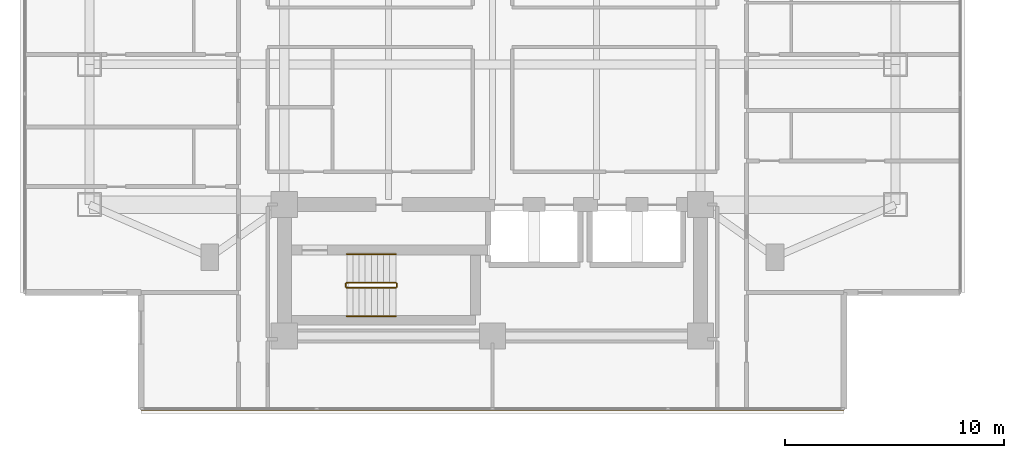
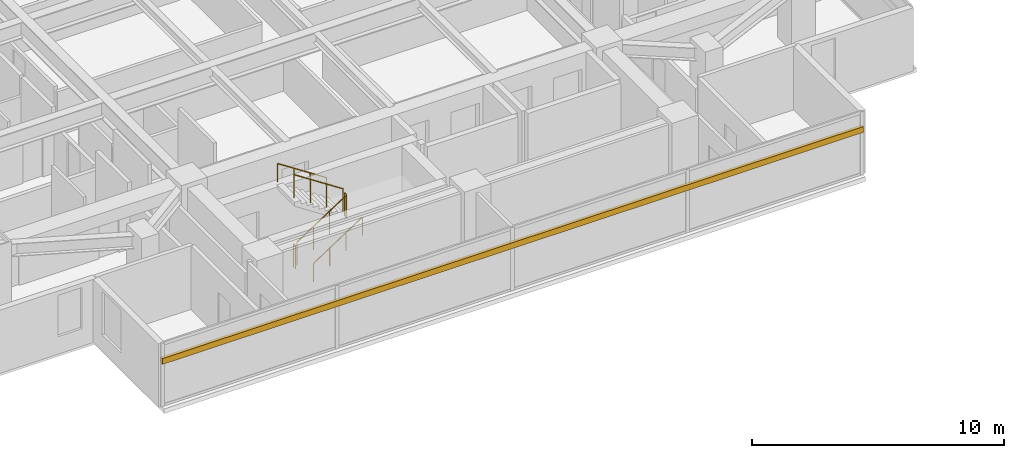
# One storey, part 19 of 24: 6 railings, 1 shading device.
"""IFC4 building model written with IfcOpenShell, lengths in metres."""

from ifc_helpers import new_model, si_unit, direction, frame, origin, origin_2d, place, context, subcontext, project, spatial, rectangle, circle, extrude, material, material_profile, profile_set, type_object, element, save


model = new_model("IFC4")

# Units and contexts
model_context = context("Model", 3, precision=1e-05, world=origin(), true_north=direction((0.0, 1.0)))
body_context = subcontext(model_context, "Body", "Model", "MODEL_VIEW")
ifc_project = project(units=[si_unit("LENGTHUNIT", "METRE"), si_unit("AREAUNIT", "SQUARE_METRE"), si_unit("VOLUMEUNIT", "CUBIC_METRE"), si_unit("PLANEANGLEUNIT", "RADIAN"), si_unit("MASSUNIT", "GRAM", prefix="KILO")], contexts=[model_context])

# Site, building, storey
site_placement = place(None, origin())
site = spatial("IfcSite", under=ifc_project, at=site_placement, CompositionType="ELEMENT")
building_placement = place(site_placement, origin())
building = spatial("IfcBuilding", under=site, at=building_placement, Name="Mirazonda Arch Towers", CompositionType="ELEMENT")
storey_placement = place(building_placement, frame((0.0, 0.0, 101.60009765625)))
storey = spatial("IfcBuildingStorey", under=building, at=storey_placement, Name="L28", CompositionType="ELEMENT", Elevation=101.60009765625)

# Shading device
ifc_material_1 = material(Name="Kiln-Fired Architectural Terracotta", Category="masonry")
ifc_material_profile = material_profile(ifc_material_1, rectangle(XDim=0.139892578125, YDim=0.280029296875, at=origin_2d()), Name="TERRA-BAG-140x280")
ifc_profile_set = profile_set([ifc_material_profile], Name="Kiln-Fired Architectural Terracotta")
shading_device_type = type_object("IfcShadingDeviceType", Name="BAGUETTE-3", PredefinedType="USERDEFINED", material=ifc_profile_set)
shading_device_placement = place(storey_placement, frame((36.544921875, 9.077880859375, 2.203125), z_axis=(-1.0, 0.0, 0.0), x_axis=(0.0, -1.0, 0.0)))
element("IfcShadingDevice", 1, at=shading_device_placement, inside=storey, type_object=shading_device_type, Name="L28 Glazed Terracotta Sun-Screen Baguette CW-L28-T1-S", ObjectType="BAGUETTE", PredefinedType="USERDEFINED", context=body_context, shape_type="SweptSolid", body=[
    extrude(rectangle(XDim=0.139892578125, YDim=0.280029296875, at=origin_2d()), origin(), (0.0, 0.0, 1.0), 32.08984375),
])

# Railings
ifc_material_2 = material(Name="Architectural Brushed Steel S355", Category="steel")
railing_type_1 = type_object("IfcRailingType", Name="GUARD-STAIR-1120", PredefinedType="GUARDRAIL", material=ifc_material_2)
railing_1_placement = place(storey_placement, frame((13.85009765625, 14.60009765625, 0.183349609375)))
element("IfcRailing", 2, at=railing_1_placement, inside=storey, type_object=railing_type_1, Name="L28 ST-T1S stair guard 1", PredefinedType="GUARDRAIL", context=body_context, shape_type="SweptSolid", body=[
    extrude(circle(Radius=0.02392578125, at=origin_2d()), frame((0.0, 0.0, 1.1259765625), z_axis=(0.836636935527, 0.0, 0.547757827979), x_axis=(0.0, 1.0, 0.0)), (0.0, 0.0, 1.0), 2.677490234375),
    extrude(circle(Radius=0.02099609375, at=origin_2d()), origin(), (0.0, 0.0, 1.0), 1.101806640625),
    extrude(circle(Radius=0.02099609375, at=origin_2d()), frame((0.74658203125, 0.0, 0.48876953125)), (0.0, 0.0, 1.0), 1.101806640625),
    extrude(circle(Radius=0.02099609375, at=origin_2d()), frame((1.493408203125, 0.0, 0.977783203125)), (0.0, 0.0, 1.0), 1.101806640625),
    extrude(circle(Radius=0.02099609375, at=origin_2d()), frame((2.239990234375, 0.0, 1.466552734375)), (0.0, 0.0, 1.0), 1.101806640625),
])
railing_2_placement = place(storey_placement, frame((16.139892578125, 14.64990234375, 1.64990234375)))
element("IfcRailing", 3, at=railing_2_placement, inside=storey, type_object=railing_type_1, Name="L28 ST-T1S stair guard 2", PredefinedType="GUARDRAIL", context=body_context, shape_type="SweptSolid", body=[
    extrude(circle(Radius=0.02392578125, at=origin_2d()), frame((0.0, 0.0, 1.1259765625), z_axis=(0.0, 1.0, 0.0), x_axis=(-1.0, 0.0, 0.0)), (0.0, 0.0, 1.0), 0.14013671875),
    extrude(circle(Radius=0.02099609375, at=origin_2d()), origin(), (0.0, 0.0, 1.0), 1.101806640625),
    extrude(circle(Radius=0.02099609375, at=origin_2d()), frame((0.0, 0.14013671875, 0.0)), (0.0, 0.0, 1.0), 1.101806640625),
])
railing_3_placement = place(storey_placement, frame((16.090087890625, 14.840087890625, 1.833251953125)))
element("IfcRailing", 4, at=railing_3_placement, inside=storey, type_object=railing_type_1, Name="L28 ST-T1S stair guard 3", PredefinedType="GUARDRAIL", context=body_context, shape_type="SweptSolid", body=[
    extrude(circle(Radius=0.02392578125, at=origin_2d()), frame((0.0, 0.0, 1.1259765625), z_axis=(-0.836636935527, 0.0, 0.547757827979), x_axis=(0.0, -1.0, 0.0)), (0.0, 0.0, 1.0), 2.677490234375),
    extrude(circle(Radius=0.02099609375, at=origin_2d()), origin(), (0.0, 0.0, 1.0), 1.101806640625),
    extrude(circle(Radius=0.02099609375, at=origin_2d()), frame((-0.74658203125, 0.0, 0.48876953125)), (0.0, 0.0, 1.0), 1.101806640625),
    extrude(circle(Radius=0.02099609375, at=origin_2d()), frame((-1.493408203125, 0.0, 0.977783203125)), (0.0, 0.0, 1.0), 1.101806640625),
    extrude(circle(Radius=0.02099609375, at=origin_2d()), frame((-2.239990234375, 0.0, 1.466552734375)), (0.0, 0.0, 1.0), 1.101806640625),
])
railing_4_placement = place(storey_placement, frame((13.800048828125, 14.64990234375, 0.0)))
element("IfcRailing", 5, at=railing_4_placement, inside=storey, type_object=railing_type_1, Name="L28 ST-T1S stair guard 4", PredefinedType="GUARDRAIL", context=body_context, shape_type="SweptSolid", body=[
    extrude(circle(Radius=0.02392578125, at=origin_2d()), frame((0.0, 0.0, 1.1259765625), z_axis=(0.0, 1.0, 0.0), x_axis=(-1.0, 0.0, 0.0)), (0.0, 0.0, 1.0), 0.14013671875),
    extrude(circle(Radius=0.02099609375, at=origin_2d()), origin(), (0.0, 0.0, 1.0), 1.101806640625),
    extrude(circle(Radius=0.02099609375, at=origin_2d()), frame((0.0, 0.14013671875, 0.0)), (0.0, 0.0, 1.0), 1.101806640625),
])
railing_type_2 = type_object("IfcRailingType", Name="HANDRAIL-915", PredefinedType="HANDRAIL", material=ifc_material_2)
railing_5_placement = place(storey_placement, frame((13.85009765625, 13.300048828125, 0.183349609375)))
element("IfcRailing", 6, at=railing_5_placement, inside=storey, type_object=railing_type_2, Name="L28 ST-T1S stair handrail 1", PredefinedType="HANDRAIL", context=body_context, shape_type="SweptSolid", body=[
    extrude(circle(Radius=0.02392578125, at=origin_2d()), frame((0.0, 0.0, 0.8759765625), z_axis=(0.836636935527, 0.0, 0.547757827979), x_axis=(0.0, 1.0, 0.0)), (0.0, 0.0, 1.0), 2.677490234375),
    extrude(circle(Radius=0.02099609375, at=origin_2d()), origin(), (0.0, 0.0, 1.0), 0.851806640625),
    extrude(circle(Radius=0.02099609375, at=origin_2d()), frame((0.74658203125, 0.0, 0.48876953125)), (0.0, 0.0, 1.0), 0.851806640625),
    extrude(circle(Radius=0.02099609375, at=origin_2d()), frame((1.493408203125, 0.0, 0.977783203125)), (0.0, 0.0, 1.0), 0.851806640625),
    extrude(circle(Radius=0.02099609375, at=origin_2d()), frame((2.239990234375, 0.0, 1.466552734375)), (0.0, 0.0, 1.0), 0.851806640625),
])
railing_6_placement = place(storey_placement, frame((16.090087890625, 16.139892578125, 1.833251953125)))
element("IfcRailing", 7, at=railing_6_placement, inside=storey, type_object=railing_type_2, Name="L28 ST-T1S stair handrail 2", PredefinedType="HANDRAIL", context=body_context, shape_type="SweptSolid", body=[
    extrude(circle(Radius=0.02392578125, at=origin_2d()), frame((0.0, 0.0, 0.8759765625), z_axis=(-0.836636935527, 0.0, 0.547757827979), x_axis=(0.0, -1.0, 0.0)), (0.0, 0.0, 1.0), 2.677490234375),
    extrude(circle(Radius=0.02099609375, at=origin_2d()), origin(), (0.0, 0.0, 1.0), 0.851806640625),
    extrude(circle(Radius=0.02099609375, at=origin_2d()), frame((-0.74658203125, 0.0, 0.48876953125)), (0.0, 0.0, 1.0), 0.851806640625),
    extrude(circle(Radius=0.02099609375, at=origin_2d()), frame((-1.493408203125, 0.0, 0.977783203125)), (0.0, 0.0, 1.0), 0.851806640625),
    extrude(circle(Radius=0.02099609375, at=origin_2d()), frame((-2.239990234375, 0.0, 1.466552734375)), (0.0, 0.0, 1.0), 0.851806640625),
])

save(model, "model.ifc")
